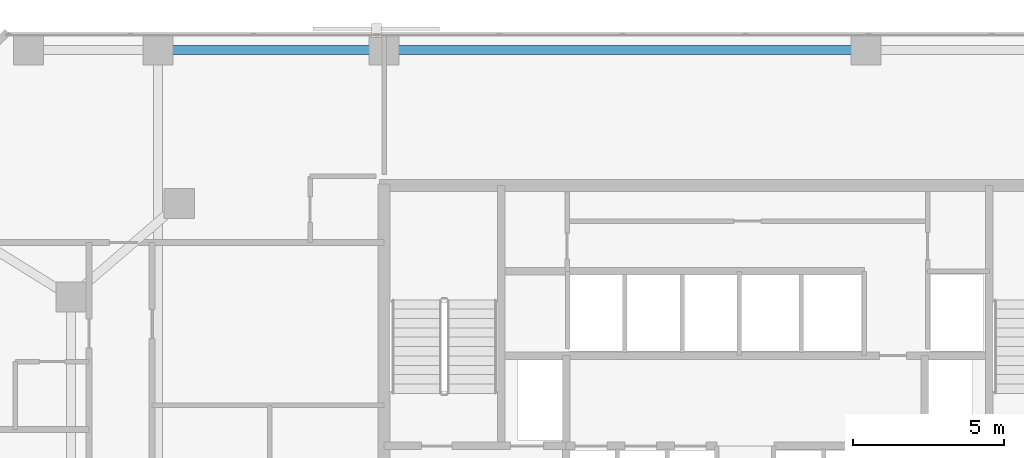
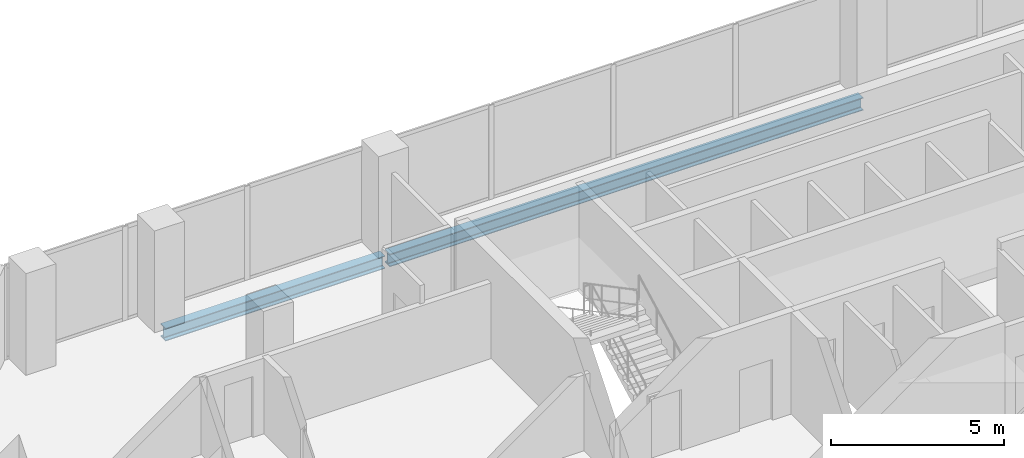
# One storey, part 19 of 32: 2 beams.
"""IFC4 building model written with IfcOpenShell, lengths in metres."""

from ifc_helpers import new_model, si_unit, direction, frame, origin, origin_2d, place, context, subcontext, project, spatial, i_section, extrude, material, material_profile, profile_set, type_object, element, save


model = new_model("IFC4")

# Units and contexts
model_context = context("Model", 3, precision=1e-05, world=origin(), true_north=direction((0.0, 1.0)))
body_context = subcontext(model_context, "Body", "Model", "MODEL_VIEW")
ifc_project = project(units=[si_unit("LENGTHUNIT", "METRE"), si_unit("AREAUNIT", "SQUARE_METRE"), si_unit("VOLUMEUNIT", "CUBIC_METRE"), si_unit("PLANEANGLEUNIT", "RADIAN"), si_unit("MASSUNIT", "GRAM", prefix="KILO")], contexts=[model_context])

# Site, building, storey
site_placement = place(None, origin())
site = spatial("IfcSite", under=ifc_project, at=site_placement, CompositionType="ELEMENT")
building_placement = place(site_placement, origin())
building = spatial("IfcBuilding", under=site, at=building_placement, Name="Catumbela Crestline Tower", CompositionType="ELEMENT")
storey_placement = place(building_placement, frame((0.0, 0.0, 29.4)))
storey = spatial("IfcBuildingStorey", under=building, at=storey_placement, Name="L06", CompositionType="ELEMENT", Elevation=29.4)

# Beams
ifc_material = material(Name="Structural steel S355J2", Category="steel")
ifc_material_profile = material_profile(ifc_material, i_section(OverallWidth=0.3, OverallDepth=0.45, WebThickness=0.014, FlangeThickness=0.026, FilletRadius=0.027, at=origin_2d()), Name="HEB 450")
ifc_profile_set = profile_set([ifc_material_profile], Name="Structural steel S355J2")
beam_type = type_object("IfcBeamType", Name="BS-HEB450", PredefinedType="SPANDREL", material=ifc_profile_set)
beam_1_placement = place(storey_placement, frame((8.58, 47.4, -0.485), z_axis=(1.0, 0.0, 0.0), x_axis=(0.0, 1.0, 0.0)))
element("IfcBeam", 1, at=beam_1_placement, inside=storey, type_object=beam_type, Name="L06 Spandrel SP-L06-NF20", PredefinedType="SPANDREL", context=body_context, shape_type="SweptSolid", body=[
    extrude(i_section(OverallWidth=0.3, OverallDepth=0.45, WebThickness=0.014, FlangeThickness=0.026, FilletRadius=0.027, at=origin_2d()), origin(), (0.0, 0.0, 1.0), 7.34),
])
beam_2_placement = place(storey_placement, frame((16.08, 47.4, -0.485), z_axis=(1.0, 0.0, 0.0), x_axis=(0.0, 1.0, 0.0)))
element("IfcBeam", 2, at=beam_2_placement, inside=storey, type_object=beam_type, Name="L06 Spandrel SP-L06-NF21", PredefinedType="SPANDREL", context=body_context, shape_type="SweptSolid", body=[
    extrude(i_section(OverallWidth=0.3, OverallDepth=0.45, WebThickness=0.014, FlangeThickness=0.026, FilletRadius=0.027, at=origin_2d()), origin(), (0.0, 0.0, 1.0), 15.84),
])

save(model, "model.ifc")
